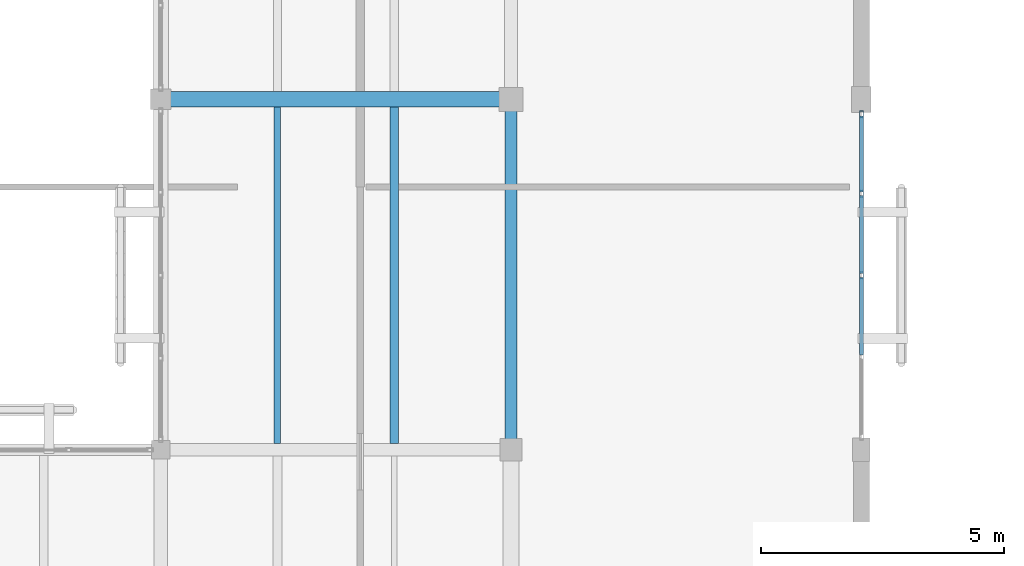
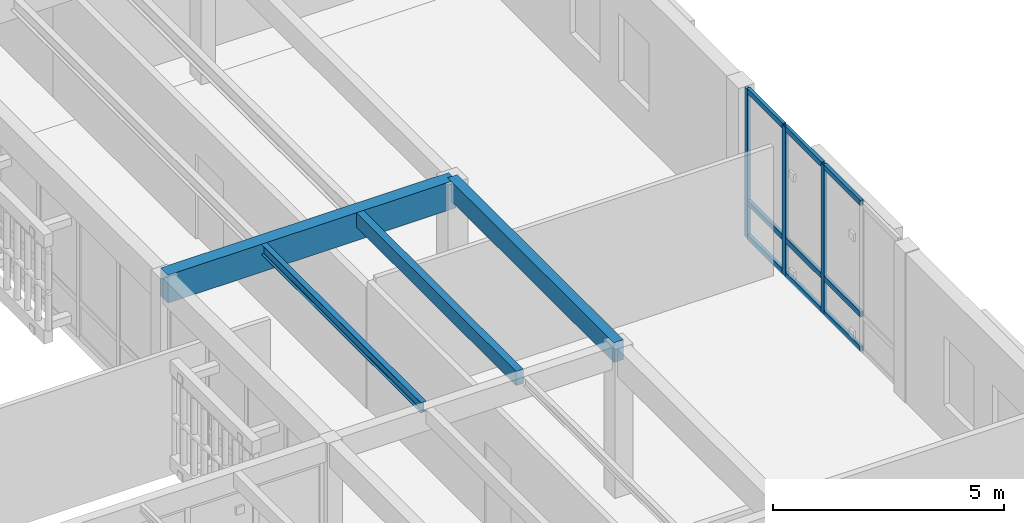
# One storey, part 26 of 61: 12 members, 4 beams, 1 element without a shape of its own.
"""IFC4 building model written with IfcOpenShell, lengths in metres."""

from ifc_helpers import new_model, si_unit, direction, frame, origin, origin_2d, place, context, subcontext, project, spatial, rectangle, hollow_rectangle, i_section, extrude, material, layer, layer_set, material_profile, profile_set, type_object, element, aggregate, save


model = new_model("IFC4")

# Units and contexts
model_context = context("Model", 3, precision=1e-05, world=origin(), true_north=direction((0.0, 1.0)))
body_context = subcontext(model_context, "Body", "Model", "MODEL_VIEW")
ifc_project = project(units=[si_unit("LENGTHUNIT", "METRE"), si_unit("AREAUNIT", "SQUARE_METRE"), si_unit("VOLUMEUNIT", "CUBIC_METRE"), si_unit("PLANEANGLEUNIT", "RADIAN"), si_unit("MASSUNIT", "GRAM", prefix="KILO")], contexts=[model_context])

# Site, building, storey
site_placement = place(None, origin())
site = spatial("IfcSite", under=ifc_project, at=site_placement, CompositionType="ELEMENT")
building_placement = place(site_placement, origin())
building = spatial("IfcBuilding", under=site, at=building_placement, Name="Mazaris Harbour Polytechnic", CompositionType="ELEMENT")
storey_placement = place(building_placement, frame((0.0, 0.0, 18.0)))
storey = spatial("IfcBuildingStorey", under=building, at=storey_placement, Name="L04", CompositionType="ELEMENT", Elevation=18.0)

# Curtain wall, members
ifc_material_1 = material(Name="Anodised Bronze Aluminium and Low-E Glass", Category="aluminium")
ifc_layer = layer(ifc_material_1, 0.159912109375, Name="Anodised Bronze Aluminium and Low-E Glass")
ifc_layer_set = layer_set([ifc_layer], Name="Anodised Bronze Aluminium and Low-E Glass")
curtain_wall_type = type_object("IfcCurtainWallType", Name="Cloister Court Curtain Wall", PredefinedType="NOTDEFINED", material=ifc_layer_set)
curtain_wall_placement = place(storey_placement, origin())
curtain_wall = element("IfcCurtainWall", 1, at=curtain_wall_placement, inside=storey, type_object=curtain_wall_type, Name="V4 L04 Curtain Wall 164", PredefinedType="NOTDEFINED")
ifc_material_2 = material(Name="Anodised Bronze Steel S355", Category="steel")
ifc_material_profile_1 = material_profile(ifc_material_2, hollow_rectangle(XDim=0.080078125, YDim=0.139892578125, WallThickness=0.00634765625, at=origin_2d()), Name="RHS 80x140x6.3")
ifc_profile_set_1 = profile_set([ifc_material_profile_1], Name="Anodised Bronze Steel S355")
member_type_1 = type_object("IfcMemberType", Name="Curtain Mullion RHS80x140", PredefinedType="MULLION", material=ifc_profile_set_1)
member_1_placement = place(storey_placement, frame((43.199951171875, 42.89794921875, 0.0), z_axis=(0.0, 0.0, 1.0), x_axis=(1.0, 0.0, 0.0)))
member_1 = element("IfcMember", 2, at=member_1_placement, type_object=member_type_1, Name="CW-02 mullion 1", PredefinedType="MULLION", context=body_context, shape_type="SweptSolid", body=[
    extrude(hollow_rectangle(XDim=0.080078125, YDim=0.139892578125, WallThickness=0.00634765625, at=origin_2d()), origin(), (0.0, 0.0, 1.0), 3.93505859375),
])
member_2_placement = place(storey_placement, frame((43.199951171875, 41.261474609375, 0.0), z_axis=(0.0, 0.0, 1.0), x_axis=(1.0, 0.0, 0.0)))
member_2 = element("IfcMember", 3, at=member_2_placement, type_object=member_type_1, Name="CW-02 mullion 2", PredefinedType="MULLION", context=body_context, shape_type="SweptSolid", body=[
    extrude(hollow_rectangle(XDim=0.080078125, YDim=0.139892578125, WallThickness=0.00634765625, at=origin_2d()), origin(), (0.0, 0.0, 1.0), 3.93505859375),
])
member_3_placement = place(storey_placement, frame((43.199951171875, 39.5849609375, 0.0), z_axis=(0.0, 0.0, 1.0), x_axis=(1.0, 0.0, 0.0)))
member_3 = element("IfcMember", 4, at=member_3_placement, type_object=member_type_1, Name="CW-02 mullion 3", PredefinedType="MULLION", context=body_context, shape_type="SweptSolid", body=[
    extrude(hollow_rectangle(XDim=0.080078125, YDim=0.139892578125, WallThickness=0.00634765625, at=origin_2d()), origin(), (0.0, 0.0, 1.0), 3.93505859375),
])
ifc_material_3 = material(Name="Anodised Bronze Steel S355", Category="steel")
ifc_material_profile_2 = material_profile(ifc_material_3, hollow_rectangle(XDim=0.080078125, YDim=0.139892578125, WallThickness=0.00634765625, at=origin_2d()), Name="RHS 80x140x6.3")
ifc_profile_set_2 = profile_set([ifc_material_profile_2], Name="Anodised Bronze Steel S355")
member_type_2 = type_object("IfcMemberType", Name="Curtain Transom RHS80x140", PredefinedType="USERDEFINED", material=ifc_profile_set_2)
member_4_placement = place(storey_placement, frame((43.199951171875, 42.85791015625, 0.0400390625), z_axis=(0.0, -1.0, 0.0), x_axis=(1.0, 0.0, 0.0)))
member_4 = element("IfcMember", 5, at=member_4_placement, type_object=member_type_2, Name="CW-02 transom 1.1", ObjectType="TRANSOM", PredefinedType="USERDEFINED", context=body_context, shape_type="SweptSolid", body=[
    extrude(hollow_rectangle(XDim=0.080078125, YDim=0.139892578125, WallThickness=0.00634765625, at=origin_2d()), origin(), (0.0, 0.0, 1.0), 1.556396484375),
])
member_5_placement = place(storey_placement, frame((43.199951171875, 42.85791015625, 0.949951171875), z_axis=(0.0, -1.0, 0.0), x_axis=(1.0, 0.0, 0.0)))
member_5 = element("IfcMember", 6, at=member_5_placement, type_object=member_type_2, Name="CW-02 transom 1.2", ObjectType="TRANSOM", PredefinedType="USERDEFINED", context=body_context, shape_type="SweptSolid", body=[
    extrude(hollow_rectangle(XDim=0.080078125, YDim=0.139892578125, WallThickness=0.00634765625, at=origin_2d()), origin(), (0.0, 0.0, 1.0), 1.556396484375),
])
member_6_placement = place(storey_placement, frame((43.199951171875, 42.85791015625, 3.89501953125), z_axis=(0.0, -1.0, 0.0), x_axis=(1.0, 0.0, 0.0)))
member_6 = element("IfcMember", 7, at=member_6_placement, type_object=member_type_2, Name="CW-02 transom 1.3", ObjectType="TRANSOM", PredefinedType="USERDEFINED", context=body_context, shape_type="SweptSolid", body=[
    extrude(hollow_rectangle(XDim=0.080078125, YDim=0.139892578125, WallThickness=0.00634765625, at=origin_2d()), origin(), (0.0, 0.0, 1.0), 1.556396484375),
])
member_7_placement = place(storey_placement, frame((43.199951171875, 41.221435546875, 0.0400390625), z_axis=(0.0, -1.0, 0.0), x_axis=(1.0, 0.0, 0.0)))
member_7 = element("IfcMember", 8, at=member_7_placement, type_object=member_type_2, Name="CW-02 transom 2.1", ObjectType="TRANSOM", PredefinedType="USERDEFINED", context=body_context, shape_type="SweptSolid", body=[
    extrude(hollow_rectangle(XDim=0.080078125, YDim=0.139892578125, WallThickness=0.00634765625, at=origin_2d()), origin(), (0.0, 0.0, 1.0), 1.596435546875),
])
member_8_placement = place(storey_placement, frame((43.199951171875, 41.221435546875, 0.949951171875), z_axis=(0.0, -1.0, 0.0), x_axis=(1.0, 0.0, 0.0)))
member_8 = element("IfcMember", 9, at=member_8_placement, type_object=member_type_2, Name="CW-02 transom 2.2", ObjectType="TRANSOM", PredefinedType="USERDEFINED", context=body_context, shape_type="SweptSolid", body=[
    extrude(hollow_rectangle(XDim=0.080078125, YDim=0.139892578125, WallThickness=0.00634765625, at=origin_2d()), origin(), (0.0, 0.0, 1.0), 1.596435546875),
])
member_9_placement = place(storey_placement, frame((43.199951171875, 41.221435546875, 3.89501953125), z_axis=(0.0, -1.0, 0.0), x_axis=(1.0, 0.0, 0.0)))
member_9 = element("IfcMember", 10, at=member_9_placement, type_object=member_type_2, Name="CW-02 transom 2.3", ObjectType="TRANSOM", PredefinedType="USERDEFINED", context=body_context, shape_type="SweptSolid", body=[
    extrude(hollow_rectangle(XDim=0.080078125, YDim=0.139892578125, WallThickness=0.00634765625, at=origin_2d()), origin(), (0.0, 0.0, 1.0), 1.596435546875),
])
member_10_placement = place(storey_placement, frame((43.199951171875, 39.544921875, 0.0400390625), z_axis=(0.0, -1.0, 0.0), x_axis=(1.0, 0.0, 0.0)))
member_10 = element("IfcMember", 11, at=member_10_placement, type_object=member_type_2, Name="CW-02 transom 3.1", ObjectType="TRANSOM", PredefinedType="USERDEFINED", context=body_context, shape_type="SweptSolid", body=[
    extrude(hollow_rectangle(XDim=0.080078125, YDim=0.139892578125, WallThickness=0.00634765625, at=origin_2d()), origin(), (0.0, 0.0, 1.0), 1.596435546875),
])
member_11_placement = place(storey_placement, frame((43.199951171875, 39.544921875, 0.949951171875), z_axis=(0.0, -1.0, 0.0), x_axis=(1.0, 0.0, 0.0)))
member_11 = element("IfcMember", 12, at=member_11_placement, type_object=member_type_2, Name="CW-02 transom 3.2", ObjectType="TRANSOM", PredefinedType="USERDEFINED", context=body_context, shape_type="SweptSolid", body=[
    extrude(hollow_rectangle(XDim=0.080078125, YDim=0.139892578125, WallThickness=0.00634765625, at=origin_2d()), origin(), (0.0, 0.0, 1.0), 1.596435546875),
])
member_12_placement = place(storey_placement, frame((43.199951171875, 39.544921875, 3.89501953125), z_axis=(0.0, -1.0, 0.0), x_axis=(1.0, 0.0, 0.0)))
member_12 = element("IfcMember", 13, at=member_12_placement, type_object=member_type_2, Name="CW-02 transom 3.3", ObjectType="TRANSOM", PredefinedType="USERDEFINED", context=body_context, shape_type="SweptSolid", body=[
    extrude(hollow_rectangle(XDim=0.080078125, YDim=0.139892578125, WallThickness=0.00634765625, at=origin_2d()), origin(), (0.0, 0.0, 1.0), 1.596435546875),
])
aggregate(curtain_wall, [member_1, member_2, member_3, member_4, member_5, member_6, member_7, member_8, member_9, member_10, member_11, member_12])

# Beams
ifc_material_4 = material(Name="Glulam GL32h", Category="wood")
ifc_material_profile_3 = material_profile(ifc_material_4, rectangle(XDim=0.239990234375, YDim=0.52001953125, at=origin_2d()), Name="RECT240x520")
ifc_profile_set_3 = profile_set([ifc_material_profile_3], Name="Glulam GL32h")
beam_type_1 = type_object("IfcBeamType", Name="Glulam Girder 240x520 Exterior", PredefinedType="BEAM", material=ifc_profile_set_3)
beam_1_placement = place(storey_placement, frame((36.0, 36.0, 3.675048828125), z_axis=(0.0, 1.0, 0.0), x_axis=(-1.0, 0.0, 0.0)))
element("IfcBeam", 14, at=beam_1_placement, inside=storey, type_object=beam_type_1, Name="V4 L04 Tie Girder 2430", PredefinedType="BEAM", context=body_context, shape_type="SweptSolid", body=[
    extrude(rectangle(XDim=0.239990234375, YDim=0.52001953125, at=origin_2d()), origin(), (0.0, 0.0, 1.0), 7.199951171875),
])
ifc_material_5 = material(Name="Glulam GL32h", Category="wood")
ifc_material_profile_4 = material_profile(ifc_material_5, rectangle(XDim=0.320068359375, YDim=0.739990234375, at=origin_2d()), Name="RECT320x740")
ifc_profile_set_4 = profile_set([ifc_material_profile_4], Name="Glulam GL32h")
beam_type_2 = type_object("IfcBeamType", Name="Glulam Girder 320x740", PredefinedType="BEAM", material=ifc_profile_set_4)
beam_2_placement = place(storey_placement, frame((28.800048828125, 43.199951171875, 3.56494140625), z_axis=(1.0, 0.0, 0.0), x_axis=(0.0, 1.0, 0.0)))
element("IfcBeam", 15, at=beam_2_placement, inside=storey, type_object=beam_type_2, Name="V4 L04 Girder 2389", PredefinedType="BEAM", context=body_context, shape_type="SweptSolid", body=[
    extrude(rectangle(XDim=0.320068359375, YDim=0.739990234375, at=origin_2d()), origin(), (0.0, 0.0, 1.0), 7.199951171875),
])
ifc_material_6 = material(Name="Glulam GL28h", Category="wood")
ifc_material_profile_5 = material_profile(ifc_material_6, rectangle(XDim=0.179931640625, YDim=0.3798828125, at=origin_2d()), Name="RECT180x380")
ifc_profile_set_5 = profile_set([ifc_material_profile_5], Name="Glulam GL28h")
beam_type_3 = type_object("IfcBeamType", Name="Glulam Joist 180x380", PredefinedType="JOIST", material=ifc_profile_set_5)
beam_3_placement = place(storey_placement, frame((33.60009765625, 36.1298828125, 3.7451171875), z_axis=(0.0, 1.0, 0.0), x_axis=(-1.0, 0.0, 0.0)))
element("IfcBeam", 16, at=beam_3_placement, inside=storey, type_object=beam_type_3, Name="V4 L04 Floor Joist 2481", PredefinedType="JOIST", context=body_context, shape_type="SweptSolid", body=[
    extrude(rectangle(XDim=0.179931640625, YDim=0.3798828125, at=origin_2d()), origin(), (0.0, 0.0, 1.0), 6.91015625),
])
ifc_material_7 = material(Name="Steel S355", Category="steel")
ifc_material_profile_6 = material_profile(ifc_material_7, i_section(OverallWidth=0.135009765625, OverallDepth=0.27001953125, WebThickness=0.006591796875, FlangeThickness=0.01025390625, FilletRadius=0.014892578125, at=origin_2d()), Name="IPE 270")
ifc_profile_set_6 = profile_set([ifc_material_profile_6], Name="Steel S355")
beam_type_4 = type_object("IfcBeamType", Name="Steel Joist IPE270", PredefinedType="JOIST", material=ifc_profile_set_6)
beam_4_placement = place(storey_placement, frame((31.199951171875, 36.1298828125, 3.800048828125), z_axis=(0.0, 1.0, 0.0), x_axis=(-1.0, 0.0, 0.0)))
element("IfcBeam", 17, at=beam_4_placement, inside=storey, type_object=beam_type_4, Name="V4 L04 Floor Joist 2480", PredefinedType="JOIST", context=body_context, shape_type="SweptSolid", body=[
    extrude(i_section(OverallWidth=0.135009765625, OverallDepth=0.27001953125, WebThickness=0.006591796875, FlangeThickness=0.01025390625, FilletRadius=0.014892578125, at=origin_2d()), origin(), (0.0, 0.0, 1.0), 6.91015625),
])

save(model, "model.ifc")
